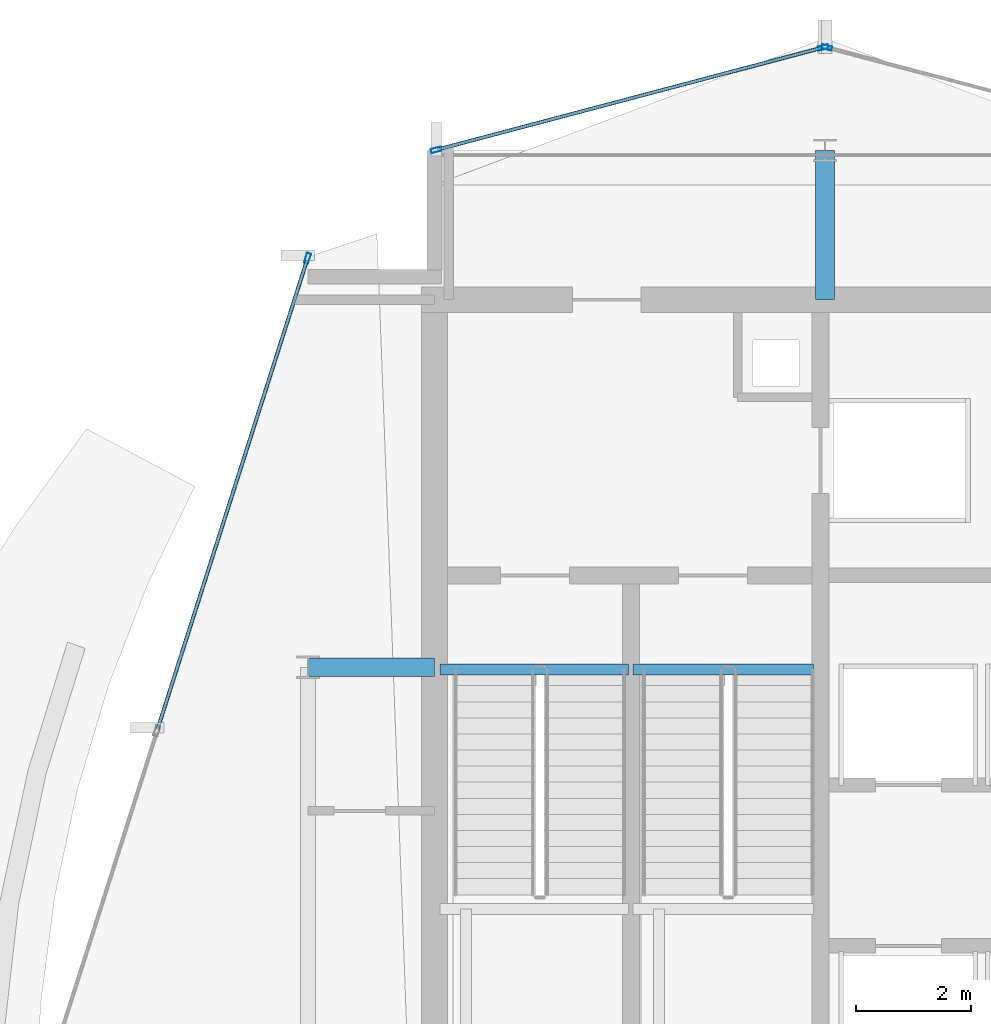
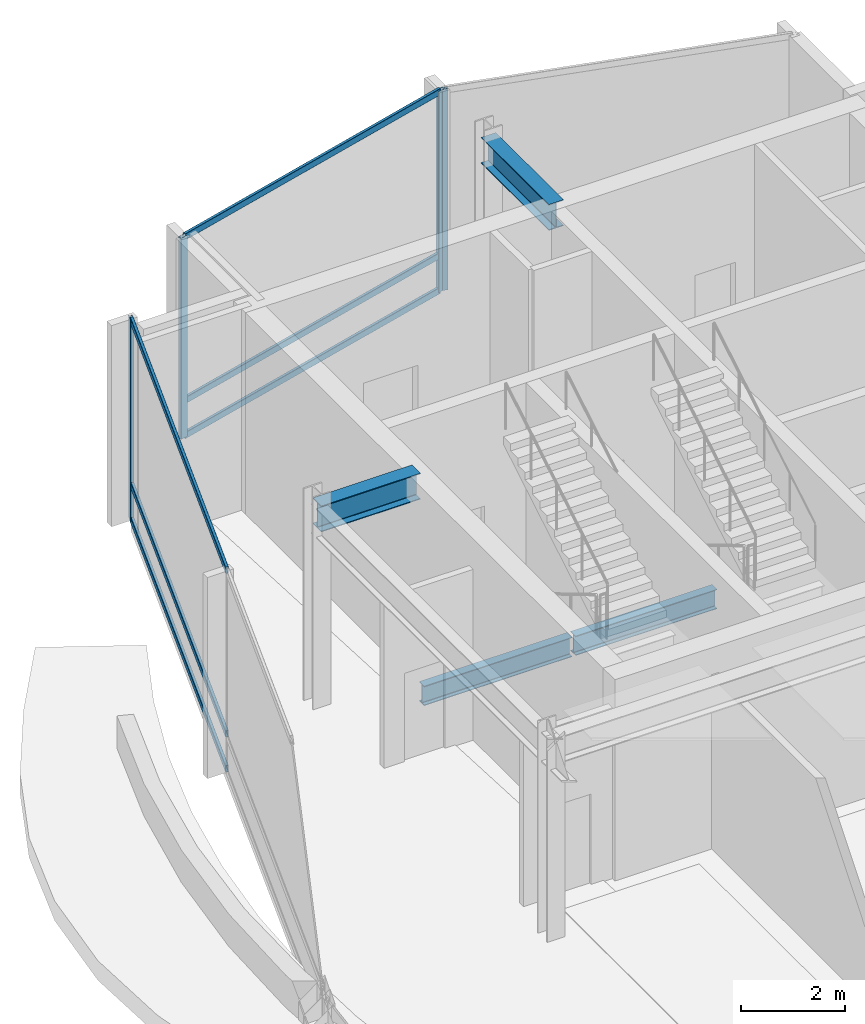
# One storey, part 14 of 23: 10 members, 4 beams, 3 elements without a shape of their own.
"""IFC4 building model written with IfcOpenShell, lengths in metres."""

from ifc_helpers import new_model, si_unit, direction, frame, origin, origin_2d, place, context, subcontext, project, spatial, hollow_rectangle, i_section, extrude, material, layer, layer_set, material_profile, profile_set, type_object, element, aggregate, save


model = new_model("IFC4")

# Units and contexts
model_context = context("Model", 3, precision=1e-05, world=origin(), true_north=direction((0.0, 1.0)))
body_context = subcontext(model_context, "Body", "Model", "MODEL_VIEW")
ifc_project = project(units=[si_unit("LENGTHUNIT", "METRE"), si_unit("AREAUNIT", "SQUARE_METRE"), si_unit("VOLUMEUNIT", "CUBIC_METRE"), si_unit("PLANEANGLEUNIT", "RADIAN"), si_unit("MASSUNIT", "GRAM", prefix="KILO")], contexts=[model_context])

# Site, building, storey
site_placement = place(None, origin())
site = spatial("IfcSite", under=ifc_project, at=site_placement, CompositionType="ELEMENT")
building_placement = place(site_placement, origin())
building = spatial("IfcBuilding", under=site, at=building_placement, Name="Solvaryn Broadcast Tower", CompositionType="ELEMENT")
storey_placement = place(building_placement, frame((0.0, 0.0, 235.800048828125)))
storey = spatial("IfcBuildingStorey", under=building, at=storey_placement, Name="L59", CompositionType="ELEMENT", Elevation=235.800048828125)

# Beams
ifc_material_1 = material(Name="Steel ASTM A992 Grade 50", Category="steel")
ifc_material_profile_1 = material_profile(ifc_material_1, i_section(OverallWidth=0.323974609375, OverallDepth=0.611083984375, WebThickness=0.0126953125, FlangeThickness=0.01904296875, FilletRadius=0.014892578125, at=origin_2d()))
ifc_profile_set_1 = profile_set([ifc_material_profile_1], Name="Steel ASTM A992 Grade 50")
beam_type_1 = type_object("IfcBeamType", Name="BM-B1-W24X104", PredefinedType="BEAM", material=ifc_profile_set_1)
beam_1_placement = place(storey_placement, frame((9.0, 36.0, 4.41455078125), z_axis=(1.0, 0.0, 0.0), x_axis=(0.0, 1.0, 0.0)))
element("IfcBeam", 1, at=beam_1_placement, inside=storey, type_object=beam_type_1, Name="L59 Core Tie Beam CTW1", PredefinedType="BEAM", context=body_context, shape_type="SweptSolid", body=[
    extrude(i_section(OverallWidth=0.323974609375, OverallDepth=0.611083984375, WebThickness=0.0126953125, FlangeThickness=0.01904296875, FilletRadius=0.014892578125, at=origin_2d()), origin(), (0.0, 0.0, 1.0), 2.199951171875),
])
beam_2_placement = place(storey_placement, frame((18.0, 42.39990234375, 4.41455078125), z_axis=(0.0, 1.0, 0.0), x_axis=(-1.0, 0.0, 0.0)))
element("IfcBeam", 2, at=beam_2_placement, inside=storey, type_object=beam_type_1, Name="L59 Core Tie Beam CTW3", PredefinedType="BEAM", context=body_context, shape_type="SweptSolid", body=[
    extrude(i_section(OverallWidth=0.323974609375, OverallDepth=0.611083984375, WebThickness=0.0126953125, FlangeThickness=0.01904296875, FilletRadius=0.014892578125, at=origin_2d()), origin(), (0.0, 0.0, 1.0), 2.60009765625),
])
ifc_material_2 = material(Name="Steel ASTM A992 Grade 50", Category="steel")
ifc_material_profile_2 = material_profile(ifc_material_2, i_section(OverallWidth=0.18994140625, OverallDepth=0.45703125, WebThickness=0.009033203125, FlangeThickness=0.014404296875, FilletRadius=0.011962890625, at=origin_2d()))
ifc_profile_set_2 = profile_set([ifc_material_profile_2], Name="Steel ASTM A992 Grade 50")
beam_type_2 = type_object("IfcBeamType", Name="BM-B4-W18X50", PredefinedType="BEAM", material=ifc_profile_set_2)
beam_3_placement = place(storey_placement, frame((11.300048828125, 35.9599609375, -0.55859375), z_axis=(1.0, 0.0, 0.0), x_axis=(0.0, 1.0, 0.0)))
element("IfcBeam", 3, at=beam_3_placement, inside=storey, type_object=beam_type_2, Name="L59 ST1 Stair Well Trimmer Beam", PredefinedType="BEAM", context=body_context, shape_type="SweptSolid", body=[
    extrude(i_section(OverallWidth=0.18994140625, OverallDepth=0.45703125, WebThickness=0.009033203125, FlangeThickness=0.014404296875, FilletRadius=0.011962890625, at=origin_2d()), origin(), (0.0, 0.0, 1.0), 3.280029296875),
])
beam_4_placement = place(storey_placement, frame((14.659912109375, 35.9599609375, -0.55859375), z_axis=(1.0, 0.0, 0.0), x_axis=(0.0, 1.0, 0.0)))
element("IfcBeam", 4, at=beam_4_placement, inside=storey, type_object=beam_type_2, Name="L59 ST2 Stair Well Trimmer Beam", PredefinedType="BEAM", context=body_context, shape_type="SweptSolid", body=[
    extrude(i_section(OverallWidth=0.18994140625, OverallDepth=0.45703125, WebThickness=0.009033203125, FlangeThickness=0.014404296875, FilletRadius=0.011962890625, at=origin_2d()), origin(), (0.0, 0.0, 1.0), 3.14013671875),
])

# Curtain wall, member
ifc_material_3 = material(Name="Aluminium and Terracotta Unitised Curtain Wall", Category="masonry")
ifc_layer = layer(ifc_material_3, 0.25)
ifc_layer_set = layer_set([ifc_layer], Name="CW-SYS4-SKYGARDEN")
curtain_wall_type = type_object("IfcCurtainWallType", Name="CW-SYS4-SKYGARDEN", PredefinedType="NOTDEFINED", material=ifc_layer_set)
curtain_wall_1_placement = place(storey_placement, origin())
curtain_wall_1 = element("IfcCurtainWall", 5, at=curtain_wall_1_placement, inside=storey, type_object=curtain_wall_type, Name="L59 Curtain Wall DR1", PredefinedType="NOTDEFINED")
ifc_material_4 = material(Name="Anodised Aluminium 6063-T6", Category="aluminium")
ifc_material_profile_3 = material_profile(ifc_material_4, hollow_rectangle(XDim=0.074951171875, YDim=0.179931640625, WallThickness=0.00390625, InnerFilletRadius=0.00390625, OuterFilletRadius=0.008056640625, at=origin_2d()))
ifc_profile_set_3 = profile_set([ifc_material_profile_3], Name="Anodised Aluminium 6063-T6")
member_type_1 = type_object("IfcMemberType", Name="CW-MUL-180", PredefinedType="MULLION", material=ifc_profile_set_3)
member_1_placement = place(storey_placement, frame((8.990966796875, 43.120361328125, 0.0), z_axis=(0.0, 0.0, 1.0), x_axis=(0.952794594701, -0.30361564569, 0.0)))
member_1 = element("IfcMember", 6, at=member_1_placement, type_object=member_type_1, Name="CWS4 mullion 1", PredefinedType="MULLION", context=body_context, shape_type="SweptSolid", body=[
    extrude(hollow_rectangle(XDim=0.074951171875, YDim=0.179931640625, WallThickness=0.00390625, InnerFilletRadius=0.00390625, OuterFilletRadius=0.008056640625, at=origin_2d()), origin(), (0.0, 0.0, 1.0), 4.719970703125),
])

curtain_wall_2_placement = place(storey_placement, origin())
curtain_wall_2 = element("IfcCurtainWall", 7, at=curtain_wall_2_placement, inside=storey, type_object=curtain_wall_type, Name="L59 Curtain Wall NT1", PredefinedType="NOTDEFINED")
member_2_placement = place(storey_placement, frame((18.029052734375, 46.792236328125, 0.0), z_axis=(0.0, 0.0, 1.0), x_axis=(-0.25589256031, -0.966705227863, 0.0)))
member_2 = element("IfcMember", 8, at=member_2_placement, type_object=member_type_1, Name="CWS4 mullion 2", PredefinedType="MULLION", context=body_context, shape_type="SweptSolid", body=[
    extrude(hollow_rectangle(XDim=0.074951171875, YDim=0.179931640625, WallThickness=0.00390625, InnerFilletRadius=0.00390625, OuterFilletRadius=0.008056640625, at=origin_2d()), origin(), (0.0, 0.0, 1.0), 4.719970703125),
])
aggregate(curtain_wall_2, [member_2])

# Curtain wall, members
curtain_wall_3_placement = place(storey_placement, origin())
curtain_wall_3 = element("IfcCurtainWall", 9, at=curtain_wall_3_placement, inside=storey, type_object=curtain_wall_type, Name="L59 Curtain Wall NT2", PredefinedType="NOTDEFINED")
member_3_placement = place(storey_placement, frame((17.970947265625, 46.792236328125, 0.0), z_axis=(0.0, 0.0, 1.0), x_axis=(0.25589256031, -0.966705227863, 0.0)))
member_3 = element("IfcMember", 10, at=member_3_placement, type_object=member_type_1, Name="CWS4 mullion 1", PredefinedType="MULLION", context=body_context, shape_type="SweptSolid", body=[
    extrude(hollow_rectangle(XDim=0.074951171875, YDim=0.179931640625, WallThickness=0.00390625, InnerFilletRadius=0.00390625, OuterFilletRadius=0.008056640625, at=origin_2d()), origin(), (0.0, 0.0, 1.0), 4.719970703125),
])
member_4_placement = place(storey_placement, frame((11.22900390625, 45.007568359375, 0.0), z_axis=(0.0, 0.0, 1.0), x_axis=(0.25589256031, -0.966705227863, 0.0)))
member_4 = element("IfcMember", 11, at=member_4_placement, type_object=member_type_1, Name="CWS4 mullion 2", PredefinedType="MULLION", context=body_context, shape_type="SweptSolid", body=[
    extrude(hollow_rectangle(XDim=0.074951171875, YDim=0.179931640625, WallThickness=0.00390625, InnerFilletRadius=0.00390625, OuterFilletRadius=0.008056640625, at=origin_2d()), origin(), (0.0, 0.0, 1.0), 4.719970703125),
])

# Member
ifc_material_5 = material(Name="Anodised Aluminium 6063-T6", Category="aluminium")
ifc_material_profile_4 = material_profile(ifc_material_5, hollow_rectangle(XDim=0.06494140625, YDim=0.14990234375, WallThickness=0.00390625, InnerFilletRadius=0.00390625, OuterFilletRadius=0.008056640625, at=origin_2d()))
ifc_profile_set_4 = profile_set([ifc_material_profile_4], Name="Anodised Aluminium 6063-T6")
member_type_2 = type_object("IfcMemberType", Name="CW-TRN-150", PredefinedType="USERDEFINED", material=ifc_profile_set_4)
member_5_placement = place(storey_placement, frame((8.981689453125, 43.091796875, 0.030029296875), z_axis=(-0.303601994388, -0.952798944691, 0.0), x_axis=(0.952798944691, -0.303601994388, 0.0)))
member_5 = element("IfcMember", 12, at=member_5_placement, type_object=member_type_2, Name="CWS4 transom 1.1", ObjectType="TRANSOM", PredefinedType="USERDEFINED", context=body_context, shape_type="SweptSolid", body=[
    extrude(hollow_rectangle(XDim=0.06494140625, YDim=0.14990234375, WallThickness=0.00390625, InnerFilletRadius=0.00390625, OuterFilletRadius=0.008056640625, at=origin_2d()), origin(), (0.0, 0.0, 1.0), 8.575439453125),
])

member_6_placement = place(storey_placement, frame((8.981689453125, 43.091796875, 0.849853515625), z_axis=(-0.303601994388, -0.952798944691, 0.0), x_axis=(0.952798944691, -0.303601994388, 0.0)))
member_6 = element("IfcMember", 13, at=member_6_placement, type_object=member_type_2, Name="CWS4 transom 1.2", ObjectType="TRANSOM", PredefinedType="USERDEFINED", context=body_context, shape_type="SweptSolid", body=[
    extrude(hollow_rectangle(XDim=0.06494140625, YDim=0.14990234375, WallThickness=0.00390625, InnerFilletRadius=0.00390625, OuterFilletRadius=0.008056640625, at=origin_2d()), origin(), (0.0, 0.0, 1.0), 8.575439453125),
])

member_7_placement = place(storey_placement, frame((8.981689453125, 43.091796875, 4.68994140625), z_axis=(-0.303601994388, -0.952798944691, 0.0), x_axis=(0.952798944691, -0.303601994388, 0.0)))
member_7 = element("IfcMember", 14, at=member_7_placement, type_object=member_type_2, Name="CWS4 transom 1.3", ObjectType="TRANSOM", PredefinedType="USERDEFINED", context=body_context, shape_type="SweptSolid", body=[
    extrude(hollow_rectangle(XDim=0.06494140625, YDim=0.14990234375, WallThickness=0.00390625, InnerFilletRadius=0.00390625, OuterFilletRadius=0.008056640625, at=origin_2d()), origin(), (0.0, 0.0, 1.0), 8.575439453125),
])

aggregate(curtain_wall_1, [member_1, member_5, member_6, member_7])

member_8_placement = place(storey_placement, frame((17.94189453125, 46.78466796875, 0.030029296875), z_axis=(-0.966703943301, -0.255897413051, 0.0), x_axis=(0.255897413051, -0.966703943301, 0.0)))
member_8 = element("IfcMember", 15, at=member_8_placement, type_object=member_type_2, Name="CWS4 transom 1.1", ObjectType="TRANSOM", PredefinedType="USERDEFINED", context=body_context, shape_type="SweptSolid", body=[
    extrude(hollow_rectangle(XDim=0.06494140625, YDim=0.14990234375, WallThickness=0.00390625, InnerFilletRadius=0.00390625, OuterFilletRadius=0.008056640625, at=origin_2d()), origin(), (0.0, 0.0, 1.0), 6.9140625),
])

member_9_placement = place(storey_placement, frame((17.94189453125, 46.78466796875, 0.849853515625), z_axis=(-0.966703943301, -0.255897413051, 0.0), x_axis=(0.255897413051, -0.966703943301, 0.0)))
member_9 = element("IfcMember", 16, at=member_9_placement, type_object=member_type_2, Name="CWS4 transom 1.2", ObjectType="TRANSOM", PredefinedType="USERDEFINED", context=body_context, shape_type="SweptSolid", body=[
    extrude(hollow_rectangle(XDim=0.06494140625, YDim=0.14990234375, WallThickness=0.00390625, InnerFilletRadius=0.00390625, OuterFilletRadius=0.008056640625, at=origin_2d()), origin(), (0.0, 0.0, 1.0), 6.9140625),
])

member_10_placement = place(storey_placement, frame((17.94189453125, 46.78466796875, 4.68994140625), z_axis=(-0.966703943301, -0.255897413051, 0.0), x_axis=(0.255897413051, -0.966703943301, 0.0)))
member_10 = element("IfcMember", 17, at=member_10_placement, type_object=member_type_2, Name="CWS4 transom 1.3", ObjectType="TRANSOM", PredefinedType="USERDEFINED", context=body_context, shape_type="SweptSolid", body=[
    extrude(hollow_rectangle(XDim=0.06494140625, YDim=0.14990234375, WallThickness=0.00390625, InnerFilletRadius=0.00390625, OuterFilletRadius=0.008056640625, at=origin_2d()), origin(), (0.0, 0.0, 1.0), 6.9140625),
])

aggregate(curtain_wall_3, [member_3, member_4, member_8, member_9, member_10])

save(model, "model.ifc")
